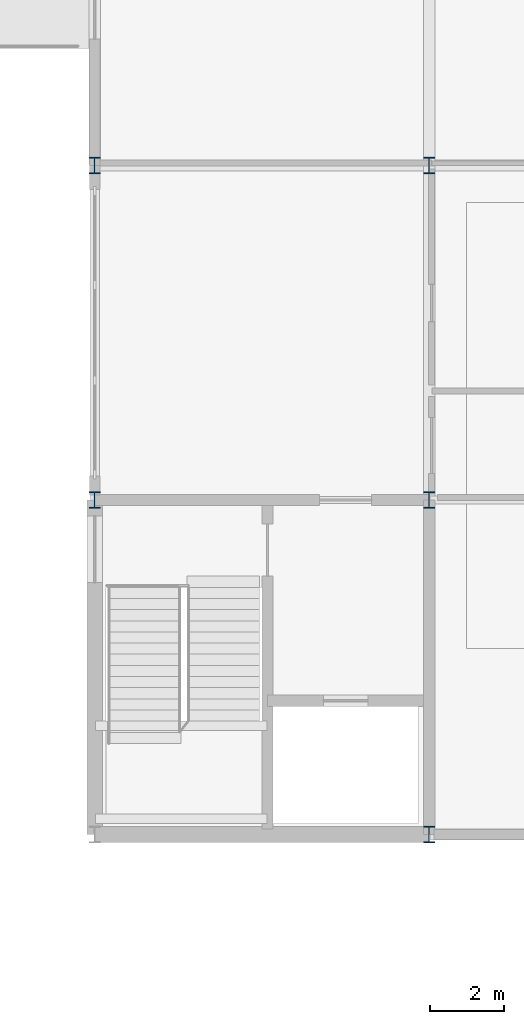
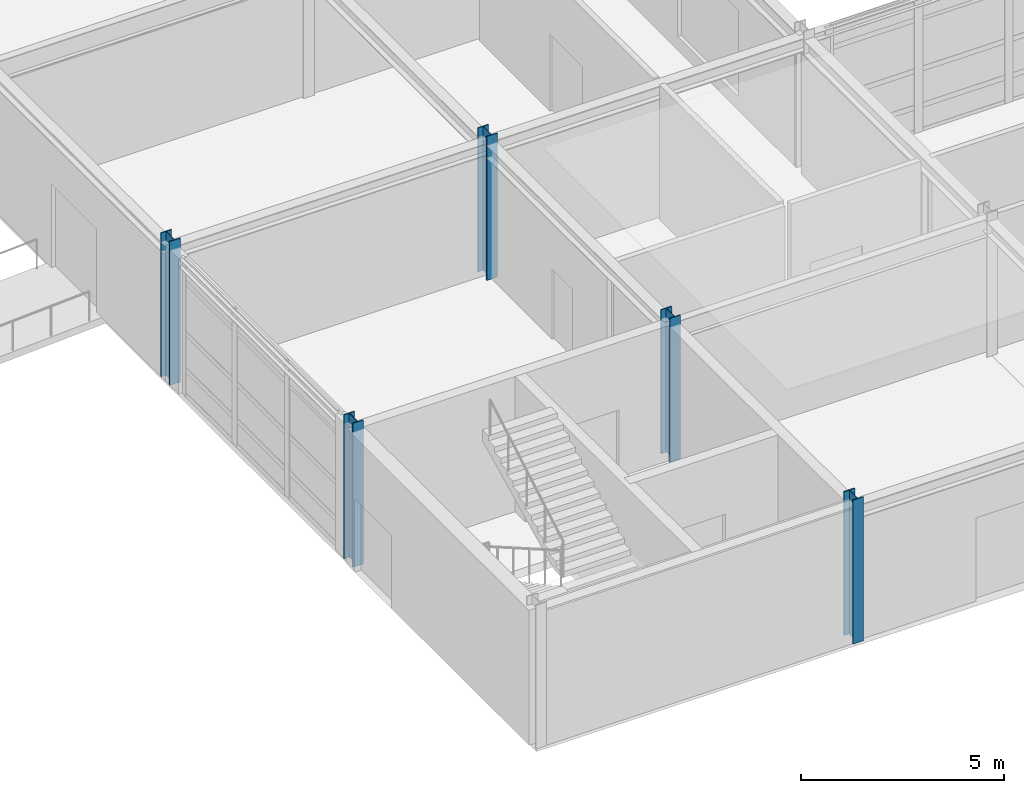
# One storey, part 5 of 72: 5 columns.
"""IFC4 building model written with IfcOpenShell, lengths in metres."""

from ifc_helpers import new_model, si_unit, direction, frame, origin, origin_2d, place, context, subcontext, project, spatial, i_section, extrude, material, material_profile, profile_set, type_object, element, save


model = new_model("IFC4")

# Units and contexts
model_context = context("Model", 3, precision=1e-05, world=origin(), true_north=direction((0.0, 1.0)))
body_context = subcontext(model_context, "Body", "Model", "MODEL_VIEW")
ifc_project = project(units=[si_unit("LENGTHUNIT", "METRE"), si_unit("AREAUNIT", "SQUARE_METRE"), si_unit("VOLUMEUNIT", "CUBIC_METRE"), si_unit("PLANEANGLEUNIT", "RADIAN"), si_unit("MASSUNIT", "GRAM", prefix="KILO")], contexts=[model_context])

# Site, building, storey
site_placement = place(None, origin())
site = spatial("IfcSite", under=ifc_project, at=site_placement, CompositionType="ELEMENT")
building_placement = place(site_placement, origin())
building = spatial("IfcBuilding", under=site, at=building_placement, Name="Palais des Congres Ocreval", CompositionType="ELEMENT")
storey_placement = place(building_placement, origin())
storey = spatial("IfcBuildingStorey", under=building, at=storey_placement, Name="L00", CompositionType="ELEMENT", Elevation=0.0)

# Columns
ifc_material = material(Name="Steel S355", Category="steel")
ifc_material_profile = material_profile(ifc_material, i_section(OverallWidth=0.300048828125, OverallDepth=0.449951171875, WebThickness=0.013916015625, FlangeThickness=0.02587890625, at=origin_2d()), Name="HEB 450")
ifc_profile_set = profile_set([ifc_material_profile], Name="Steel S355")
column_type = type_object("IfcColumnType", Name="Column HEB 450 Steel S355", PredefinedType="COLUMN", material=ifc_profile_set)
for number, where, z_axis, x_axis, name in (
    (1, (108.0, 9.0, 0.0), (0.0, 0.0, 1.0), (1.0, 0.0, 0.0), "Column C09 L00"),
    (2, (108.0, 18.0, 0.0), (0.0, 0.0, 1.0), (1.0, 0.0, 0.0), "Column C09 L00"),
    (3, (117.0, 0.0, 0.0), (0.0, 0.0, 1.0), (1.0, 0.0, 0.0), "Column C09 L00"),
    (4, (117.0, 9.0, 0.0), (0.0, 0.0, 1.0), (1.0, 0.0, 0.0), "Column C09 L00"),
    (5, (117.0, 18.0, 0.0), (0.0, 0.0, 1.0), (1.0, 0.0, 0.0), "Column C09 L00"),
):
    element("IfcColumn", number, at=place(storey_placement, frame(where, z_axis=z_axis, x_axis=x_axis)), inside=storey, type_object=column_type, Name=name, PredefinedType="COLUMN", context=body_context, shape_type="SweptSolid", body=[
        extrude(i_section(OverallWidth=0.300048828125, OverallDepth=0.449951171875, WebThickness=0.013916015625, FlangeThickness=0.02587890625, at=origin_2d()), origin(), (0.0, 0.0, 1.0), 4.320068359375),
    ])

save(model, "model.ifc")
